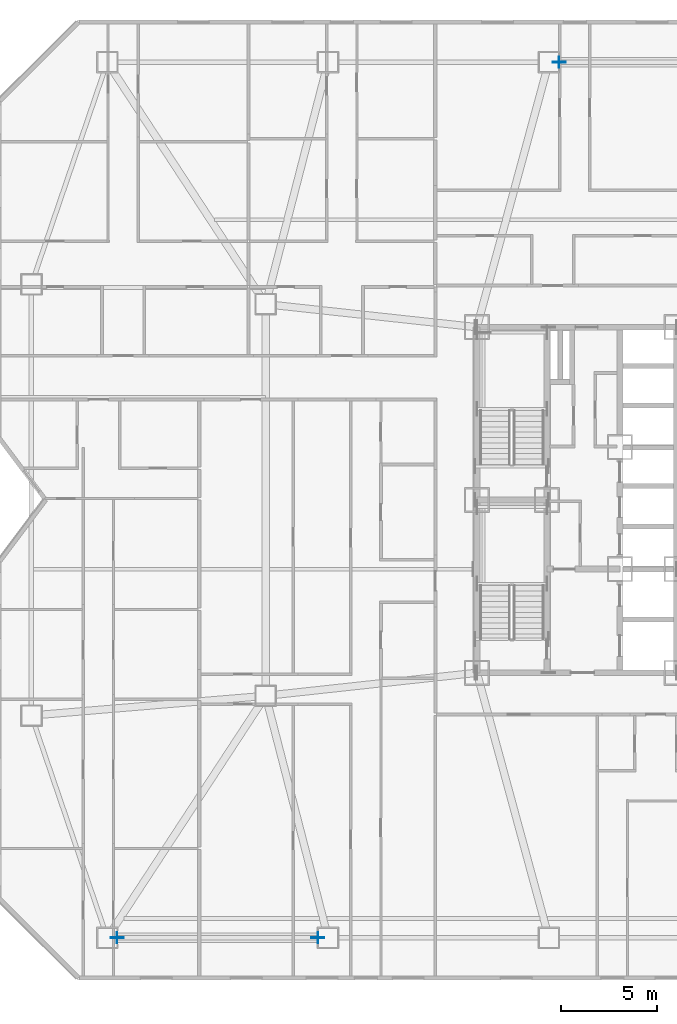
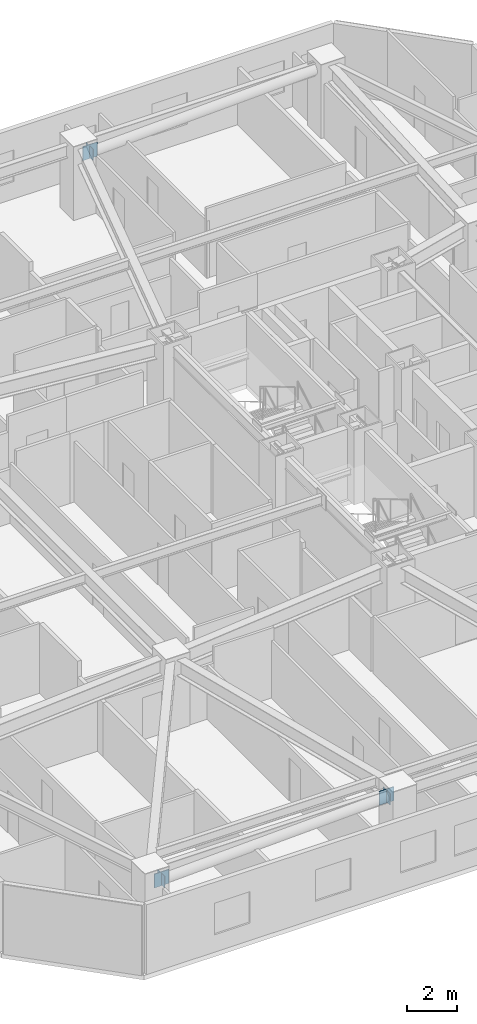
# One storey, part 5 of 17: 6 plates.
"""IFC4 building model written with IfcOpenShell, lengths in metres."""

from ifc_helpers import new_model, si_unit, direction, frame, origin, origin_2d, place, context, subcontext, project, spatial, rectangle, extrude, material, layer, layer_set, type_object, element, save


model = new_model("IFC4")

# Units and contexts
model_context = context("Model", 3, precision=1e-05, world=origin(), true_north=direction((0.0, 1.0)))
body_context = subcontext(model_context, "Body", "Model", "MODEL_VIEW")
ifc_project = project(units=[si_unit("LENGTHUNIT", "METRE"), si_unit("AREAUNIT", "SQUARE_METRE"), si_unit("VOLUMEUNIT", "CUBIC_METRE"), si_unit("PLANEANGLEUNIT", "RADIAN"), si_unit("MASSUNIT", "GRAM", prefix="KILO")], contexts=[model_context])

# Site, building, storey
site_placement = place(None, origin())
site = spatial("IfcSite", under=ifc_project, at=site_placement, CompositionType="ELEMENT")
building_placement = place(site_placement, origin())
building = spatial("IfcBuilding", under=site, at=building_placement, Name="Khamvora Tower", CompositionType="ELEMENT")
storey_placement = place(building_placement, frame((0.0, 0.0, 73.449951171875)))
storey = spatial("IfcBuildingStorey", under=building, at=storey_placement, Name="L18", CompositionType="ELEMENT", Elevation=73.449951171875)

# Plates
ifc_material_1 = material(Name="Steel S355", Category="steel")
ifc_layer_1 = layer(ifc_material_1, 0.02490234375)
ifc_layer_set_1 = layer_set([ifc_layer_1], Name="Steel S355")
plate_type_1 = type_object("IfcPlateType", Name="PL-CAP-25", PredefinedType="SHEET", material=ifc_layer_set_1)
for number, where, z_axis, x_axis, name in (
    (1, (10.26806640625, 5.199951171875, 2.416015625), (0.0, 0.0, 1.0), (1.0, 0.0, 0.0), "L18 hollow section steel end cap plate 0600"),
    (2, (20.73193359375, 5.199951171875, 2.81787109375), (0.0, 0.0, 1.0), (1.0, 0.0, 0.0), "L18 hollow section steel end cap plate 0601"),
    (3, (33.26806640625, 50.800048828125, 2.416015625), (0.0, 0.0, 1.0), (1.0, 0.0, 0.0), "L18 hollow section steel end cap plate 0602"),
):
    element("IfcPlate", number, at=place(storey_placement, frame(where, z_axis=z_axis, x_axis=x_axis)), inside=storey, type_object=plate_type_1, Name=name, PredefinedType="SHEET", context=body_context, shape_type="SweptSolid", body=[
        extrude(rectangle(XDim=0.02490234375, YDim=0.568115234375, at=origin_2d()), origin(), (0.0, 0.0, 1.0), 0.568115234375),
    ])
ifc_material_2 = material(Name="Steel S460", Category="steel")
ifc_layer_2 = layer(ifc_material_2, 0.0400390625)
ifc_layer_set_2 = layer_set([ifc_layer_2], Name="Steel S460")
plate_type_2 = type_object("IfcPlateType", Name="PLT-GUS-40", PredefinedType="SHEET", material=ifc_layer_set_2)
for number, where, z_axis, x_axis, name in (
    (4, (10.280029296875, 5.199951171875, 2.35986328125), (0.0, 0.0, 1.0), (1.0, 0.0, 0.0), "L18 brace connection node gusset plate 0117"),
    (5, (20.719970703125, 5.199951171875, 2.76220703125), (0.0, 0.0, 1.0), (1.0, 0.0, 0.0), "L18 brace connection node gusset plate 0118"),
    (6, (33.280029296875, 50.800048828125, 2.35986328125), (0.0, 0.0, 1.0), (1.0, 0.0, 0.0), "L18 brace connection node gusset plate 0119"),
):
    element("IfcPlate", number, at=place(storey_placement, frame(where, z_axis=z_axis, x_axis=x_axis)), inside=storey, type_object=plate_type_2, Name=name, PredefinedType="SHEET", context=body_context, shape_type="SweptSolid", body=[
        extrude(rectangle(XDim=0.679931640625, YDim=0.0400390625, at=origin_2d()), origin(), (0.0, 0.0, 1.0), 0.679931640625),
    ])

save(model, "model.ifc")
